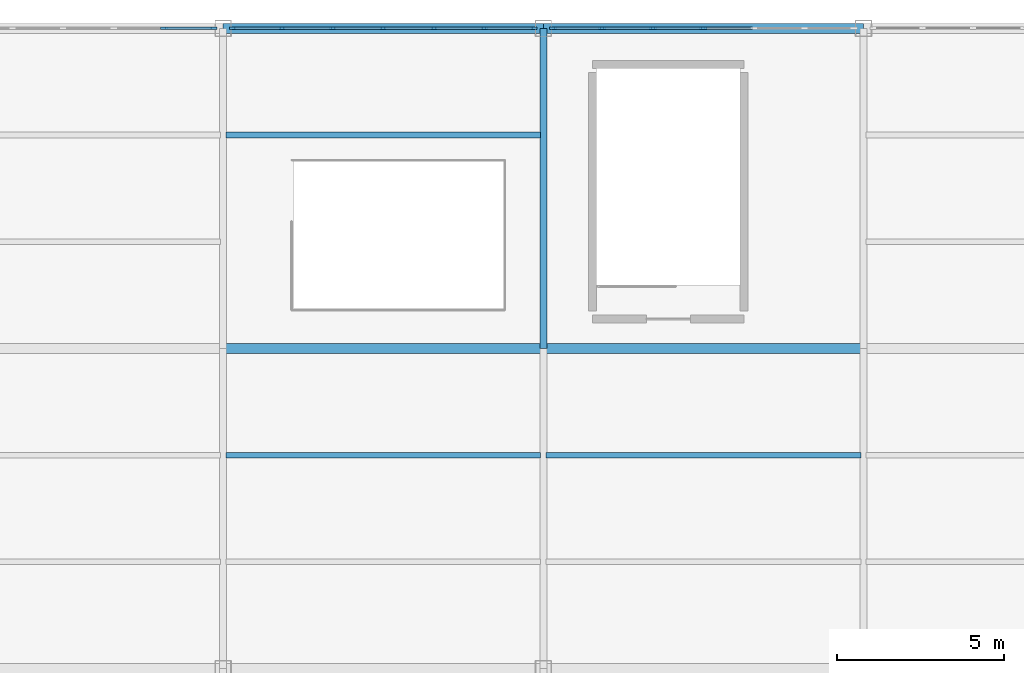
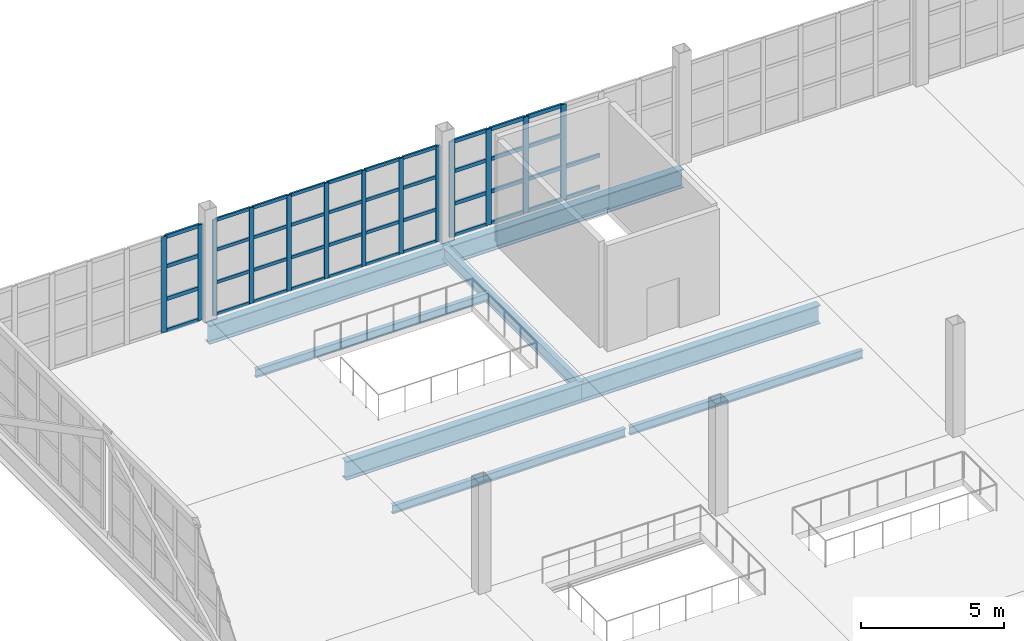
# One storey, part 53 of 120: 55 members, 8 beams, 3 elements without a shape of their own.
"""IFC4 building model written with IfcOpenShell, lengths in metres."""

from ifc_helpers import new_model, si_unit, direction, frame, origin, origin_2d, place, context, subcontext, project, spatial, rectangle, i_section, extrude, material, layer, layer_set, material_profile, profile_set, type_object, element, aggregate, save


model = new_model("IFC4")

# Units and contexts
model_context = context("Model", 3, precision=1e-05, world=origin(), true_north=direction((0.0, 1.0)))
body_context = subcontext(model_context, "Body", "Model", "MODEL_VIEW")
ifc_project = project(units=[si_unit("LENGTHUNIT", "METRE"), si_unit("AREAUNIT", "SQUARE_METRE"), si_unit("VOLUMEUNIT", "CUBIC_METRE"), si_unit("PLANEANGLEUNIT", "RADIAN"), si_unit("MASSUNIT", "GRAM", prefix="KILO")], contexts=[model_context])

# Site, building, storey
site_placement = place(None, origin())
site = spatial("IfcSite", under=ifc_project, at=site_placement, CompositionType="ELEMENT")
building_placement = place(site_placement, origin())
building = spatial("IfcBuilding", under=site, at=building_placement, Name="Zarnetskaya Central Station", CompositionType="ELEMENT")
storey_placement = place(building_placement, frame((0.0, 0.0, 5.39990234375)))
storey = spatial("IfcBuildingStorey", under=building, at=storey_placement, Name="L01", CompositionType="ELEMENT", Elevation=5.39990234375)

# Beams
ifc_material_1 = material(Name="Steel S355", Category="steel")
ifc_material_profile_1 = material_profile(ifc_material_1, i_section(OverallWidth=0.169921875, OverallDepth=0.360107421875, WebThickness=0.008056640625, FlangeThickness=0.0126953125, FilletRadius=0.01806640625, at=origin_2d()), Name="IPE 360")
ifc_profile_set_1 = profile_set([ifc_material_profile_1], Name="Steel S355")
beam_type_1 = type_object("IfcBeamType", Name="BM-SEC-360", PredefinedType="BEAM", material=ifc_profile_set_1)
for number, where, z_axis, x_axis, name in (
    (1, (76.8798828125, 112.0, -0.4599609375), (1.0, 0.0, 0.0), (0.0, 1.0, 0.0), "Secondary floor beam SEC-L01-Z512-JK-1314-2"),
    (2, (76.8798828125, 121.60009765625, -0.4599609375), (1.0, 0.0, 0.0), (0.0, 1.0, 0.0), "Secondary floor beam SEC-L01-Z512-JK-1415-2"),
):
    element("IfcBeam", number, at=place(storey_placement, frame(where, z_axis=z_axis, x_axis=x_axis)), inside=storey, type_object=beam_type_1, Name=name, PredefinedType="BEAM", context=body_context, shape_type="SweptSolid", body=[
        extrude(i_section(OverallWidth=0.169921875, OverallDepth=0.360107421875, WebThickness=0.008056640625, FlangeThickness=0.0126953125, FilletRadius=0.01806640625, at=origin_2d()), origin(), (0.0, 0.0, 1.0), 9.440185546875),
    ])
beam_1_placement = place(storey_placement, frame((86.47998046875, 112.0, -0.4599609375), z_axis=(1.0, 0.0, 0.0), x_axis=(0.0, 1.0, 0.0)))
element("IfcBeam", 3, at=beam_1_placement, inside=storey, type_object=beam_type_1, Name="Secondary floor beam SEC-L01-Z512-KL-1314-2", PredefinedType="BEAM", context=body_context, shape_type="SweptSolid", body=[
    extrude(i_section(OverallWidth=0.169921875, OverallDepth=0.360107421875, WebThickness=0.008056640625, FlangeThickness=0.0126953125, FilletRadius=0.01806640625, at=origin_2d()), origin(), (0.0, 0.0, 1.0), 9.43994140625),
])

# Curtain wall, members
ifc_material_2 = material(Name="Low-E insulated glass", Category="glass")
ifc_layer = layer(ifc_material_2, 0.172119140625, Name="Low-E insulated glass", Category="glass")
ifc_layer_set = layer_set([ifc_layer], Name="Low-E insulated glass")
curtain_wall_type = type_object("IfcCurtainWallType", Name="CW-SYS-09", PredefinedType="USERDEFINED", material=ifc_layer_set)
curtain_wall_1_placement = place(storey_placement, origin())
curtain_wall_1 = element("IfcCurtainWall", 4, at=curtain_wall_1_placement, inside=storey, type_object=curtain_wall_type, Name="Curtain wall CW-L01-153", ObjectType="CURTAIN WALL", PredefinedType="USERDEFINED")
ifc_material_3 = material(Name="Anodised aluminium", Category="aluminium")
ifc_material_profile_2 = material_profile(ifc_material_3, rectangle(XDim=0.070068359375, YDim=0.179931640625, at=origin_2d()), Name="ALU MULL 70x180")
ifc_profile_set_2 = profile_set([ifc_material_profile_2], Name="Anodised aluminium")
member_type_1 = type_object("IfcMemberType", Name="CW-MULL-180", PredefinedType="MULLION", material=ifc_profile_set_2)
member_1_placement = place(storey_placement, frame((77.0849609375, 124.800048828125, 0.0), z_axis=(0.0, 0.0, 1.0), x_axis=(0.0, 1.0, 0.0)))
member_1 = element("IfcMember", 5, at=member_1_placement, type_object=member_type_1, Name="CW-07 mullion 1", PredefinedType="MULLION", context=body_context, shape_type="SweptSolid", body=[
    extrude(rectangle(XDim=0.070068359375, YDim=0.179931640625, at=origin_2d()), origin(), (0.0, 0.0, 1.0), 4.10009765625),
])
member_2_placement = place(storey_placement, frame((78.566650390625, 124.800048828125, 0.0), z_axis=(0.0, 0.0, 1.0), x_axis=(0.0, 1.0, 0.0)))
member_2 = element("IfcMember", 6, at=member_2_placement, type_object=member_type_1, Name="CW-07 mullion 2", PredefinedType="MULLION", context=body_context, shape_type="SweptSolid", body=[
    extrude(rectangle(XDim=0.070068359375, YDim=0.179931640625, at=origin_2d()), origin(), (0.0, 0.0, 1.0), 4.10009765625),
])
member_3_placement = place(storey_placement, frame((80.083251953125, 124.800048828125, 0.0), z_axis=(0.0, 0.0, 1.0), x_axis=(0.0, 1.0, 0.0)))
member_3 = element("IfcMember", 7, at=member_3_placement, type_object=member_type_1, Name="CW-07 mullion 3", PredefinedType="MULLION", context=body_context, shape_type="SweptSolid", body=[
    extrude(rectangle(XDim=0.070068359375, YDim=0.179931640625, at=origin_2d()), origin(), (0.0, 0.0, 1.0), 4.10009765625),
])
member_4_placement = place(storey_placement, frame((81.60009765625, 124.800048828125, 0.0), z_axis=(0.0, 0.0, 1.0), x_axis=(0.0, 1.0, 0.0)))
member_4 = element("IfcMember", 8, at=member_4_placement, type_object=member_type_1, Name="CW-07 mullion 4", PredefinedType="MULLION", context=body_context, shape_type="SweptSolid", body=[
    extrude(rectangle(XDim=0.070068359375, YDim=0.179931640625, at=origin_2d()), origin(), (0.0, 0.0, 1.0), 4.10009765625),
])
member_5_placement = place(storey_placement, frame((83.11669921875, 124.800048828125, 0.0), z_axis=(0.0, 0.0, 1.0), x_axis=(0.0, 1.0, 0.0)))
member_5 = element("IfcMember", 9, at=member_5_placement, type_object=member_type_1, Name="CW-07 mullion 5", PredefinedType="MULLION", context=body_context, shape_type="SweptSolid", body=[
    extrude(rectangle(XDim=0.070068359375, YDim=0.179931640625, at=origin_2d()), origin(), (0.0, 0.0, 1.0), 4.10009765625),
])
member_6_placement = place(storey_placement, frame((84.63330078125, 124.800048828125, 0.0), z_axis=(0.0, 0.0, 1.0), x_axis=(0.0, 1.0, 0.0)))
member_6 = element("IfcMember", 10, at=member_6_placement, type_object=member_type_1, Name="CW-07 mullion 6", PredefinedType="MULLION", context=body_context, shape_type="SweptSolid", body=[
    extrude(rectangle(XDim=0.070068359375, YDim=0.179931640625, at=origin_2d()), origin(), (0.0, 0.0, 1.0), 4.10009765625),
])
member_7_placement = place(storey_placement, frame((86.114990234375, 124.800048828125, 0.0), z_axis=(0.0, 0.0, 1.0), x_axis=(0.0, 1.0, 0.0)))
member_7 = element("IfcMember", 11, at=member_7_placement, type_object=member_type_1, Name="CW-07 mullion 7", PredefinedType="MULLION", context=body_context, shape_type="SweptSolid", body=[
    extrude(rectangle(XDim=0.070068359375, YDim=0.179931640625, at=origin_2d()), origin(), (0.0, 0.0, 1.0), 4.10009765625),
])

curtain_wall_2_placement = place(storey_placement, origin())
curtain_wall_2 = element("IfcCurtainWall", 12, at=curtain_wall_2_placement, inside=storey, type_object=curtain_wall_type, Name="Curtain wall CW-L01-152", ObjectType="CURTAIN WALL", PredefinedType="USERDEFINED")
ifc_material_profile_3 = material_profile(ifc_material_3, rectangle(XDim=0.080078125, YDim=0.219970703125, at=origin_2d()), Name="ALU MULL 80x220")
ifc_profile_set_3 = profile_set([ifc_material_profile_3], Name="Anodised aluminium")
member_type_2 = type_object("IfcMemberType", Name="CW-MULL-220", PredefinedType="MULLION", material=ifc_profile_set_3)
member_8_placement = place(storey_placement, frame((75.033447265625, 124.800048828125, 0.0), z_axis=(0.0, 0.0, 1.0), x_axis=(0.0, 1.0, 0.0)))
member_8 = element("IfcMember", 13, at=member_8_placement, type_object=member_type_2, Name="CW-07 mullion 6", PredefinedType="MULLION", context=body_context, shape_type="SweptSolid", body=[
    extrude(rectangle(XDim=0.080078125, YDim=0.219970703125, at=origin_2d()), origin(), (0.0, 0.0, 1.0), 4.10009765625),
])
member_9_placement = place(storey_placement, frame((76.510009765625, 124.800048828125, 0.0), z_axis=(0.0, 0.0, 1.0), x_axis=(0.0, 1.0, 0.0)))
member_9 = element("IfcMember", 14, at=member_9_placement, type_object=member_type_2, Name="CW-07 mullion 7", PredefinedType="MULLION", context=body_context, shape_type="SweptSolid", body=[
    extrude(rectangle(XDim=0.080078125, YDim=0.219970703125, at=origin_2d()), origin(), (0.0, 0.0, 1.0), 4.10009765625),
])

curtain_wall_3_placement = place(storey_placement, origin())
curtain_wall_3 = element("IfcCurtainWall", 15, at=curtain_wall_3_placement, inside=storey, type_object=curtain_wall_type, Name="Curtain wall CW-L01-154", ObjectType="CURTAIN WALL", PredefinedType="USERDEFINED")
member_10_placement = place(storey_placement, frame((86.68994140625, 124.800048828125, 0.0), z_axis=(0.0, 0.0, 1.0), x_axis=(0.0, 1.0, 0.0)))
member_10 = element("IfcMember", 16, at=member_10_placement, type_object=member_type_2, Name="CW-07 mullion 1", PredefinedType="MULLION", context=body_context, shape_type="SweptSolid", body=[
    extrude(rectangle(XDim=0.080078125, YDim=0.219970703125, at=origin_2d()), origin(), (0.0, 0.0, 1.0), 4.10009765625),
])
member_11_placement = place(storey_placement, frame((88.166748046875, 124.800048828125, 0.0), z_axis=(0.0, 0.0, 1.0), x_axis=(0.0, 1.0, 0.0)))
member_11 = element("IfcMember", 17, at=member_11_placement, type_object=member_type_2, Name="CW-07 mullion 2", PredefinedType="MULLION", context=body_context, shape_type="SweptSolid", body=[
    extrude(rectangle(XDim=0.080078125, YDim=0.219970703125, at=origin_2d()), origin(), (0.0, 0.0, 1.0), 4.10009765625),
])
member_12_placement = place(storey_placement, frame((89.683349609375, 124.800048828125, 0.0), z_axis=(0.0, 0.0, 1.0), x_axis=(0.0, 1.0, 0.0)))
member_12 = element("IfcMember", 18, at=member_12_placement, type_object=member_type_2, Name="CW-07 mullion 3", PredefinedType="MULLION", context=body_context, shape_type="SweptSolid", body=[
    extrude(rectangle(XDim=0.080078125, YDim=0.219970703125, at=origin_2d()), origin(), (0.0, 0.0, 1.0), 4.10009765625),
])
member_13_placement = place(storey_placement, frame((91.199951171875, 124.800048828125, 0.0), z_axis=(0.0, 0.0, 1.0), x_axis=(0.0, 1.0, 0.0)))
member_13 = element("IfcMember", 19, at=member_13_placement, type_object=member_type_2, Name="CW-07 mullion 4", PredefinedType="MULLION", context=body_context, shape_type="SweptSolid", body=[
    extrude(rectangle(XDim=0.080078125, YDim=0.219970703125, at=origin_2d()), origin(), (0.0, 0.0, 1.0), 4.10009765625),
])

# Member
ifc_material_profile_4 = material_profile(ifc_material_3, rectangle(XDim=0.070068359375, YDim=0.139892578125, at=origin_2d()), Name="ALU TRAN 70x140")
ifc_profile_set_4 = profile_set([ifc_material_profile_4], Name="Anodised aluminium")
member_type_3 = type_object("IfcMemberType", Name="CW-TRAN-140", PredefinedType="USERDEFINED", material=ifc_profile_set_4)
member_14_placement = place(storey_placement, frame((77.1201171875, 124.800048828125, 0.03515625), z_axis=(1.0, 0.0, 0.0), x_axis=(0.0, 1.0, 0.0)))
member_14 = element("IfcMember", 20, at=member_14_placement, type_object=member_type_3, Name="CW-07 transom 1.1", ObjectType="TRANSOM", PredefinedType="USERDEFINED", context=body_context, shape_type="SweptSolid", body=[
    extrude(rectangle(XDim=0.070068359375, YDim=0.139892578125, at=origin_2d()), origin(), (0.0, 0.0, 1.0), 1.41162109375),
])

member_15_placement = place(storey_placement, frame((77.1201171875, 124.800048828125, 1.39404296875), z_axis=(1.0, 0.0, 0.0), x_axis=(0.0, 1.0, 0.0)))
member_15 = element("IfcMember", 21, at=member_15_placement, type_object=member_type_3, Name="CW-07 transom 1.2", ObjectType="TRANSOM", PredefinedType="USERDEFINED", context=body_context, shape_type="SweptSolid", body=[
    extrude(rectangle(XDim=0.070068359375, YDim=0.139892578125, at=origin_2d()), origin(), (0.0, 0.0, 1.0), 1.41162109375),
])

member_16_placement = place(storey_placement, frame((77.1201171875, 124.800048828125, 2.7880859375), z_axis=(1.0, 0.0, 0.0), x_axis=(0.0, 1.0, 0.0)))
member_16 = element("IfcMember", 22, at=member_16_placement, type_object=member_type_3, Name="CW-07 transom 1.3", ObjectType="TRANSOM", PredefinedType="USERDEFINED", context=body_context, shape_type="SweptSolid", body=[
    extrude(rectangle(XDim=0.070068359375, YDim=0.139892578125, at=origin_2d()), origin(), (0.0, 0.0, 1.0), 1.41162109375),
])

member_17_placement = place(storey_placement, frame((77.1201171875, 124.800048828125, 4.065185546875), z_axis=(1.0, 0.0, 0.0), x_axis=(0.0, 1.0, 0.0)))
member_17 = element("IfcMember", 23, at=member_17_placement, type_object=member_type_3, Name="CW-07 transom 1.4", ObjectType="TRANSOM", PredefinedType="USERDEFINED", context=body_context, shape_type="SweptSolid", body=[
    extrude(rectangle(XDim=0.070068359375, YDim=0.139892578125, at=origin_2d()), origin(), (0.0, 0.0, 1.0), 1.41162109375),
])

member_18_placement = place(storey_placement, frame((78.6015625, 124.800048828125, 0.03515625), z_axis=(1.0, 0.0, 0.0), x_axis=(0.0, 1.0, 0.0)))
member_18 = element("IfcMember", 24, at=member_18_placement, type_object=member_type_3, Name="CW-07 transom 2.1", ObjectType="TRANSOM", PredefinedType="USERDEFINED", context=body_context, shape_type="SweptSolid", body=[
    extrude(rectangle(XDim=0.070068359375, YDim=0.139892578125, at=origin_2d()), origin(), (0.0, 0.0, 1.0), 1.44677734375),
])

member_19_placement = place(storey_placement, frame((78.6015625, 124.800048828125, 1.39404296875), z_axis=(1.0, 0.0, 0.0), x_axis=(0.0, 1.0, 0.0)))
member_19 = element("IfcMember", 25, at=member_19_placement, type_object=member_type_3, Name="CW-07 transom 2.2", ObjectType="TRANSOM", PredefinedType="USERDEFINED", context=body_context, shape_type="SweptSolid", body=[
    extrude(rectangle(XDim=0.070068359375, YDim=0.139892578125, at=origin_2d()), origin(), (0.0, 0.0, 1.0), 1.44677734375),
])

member_20_placement = place(storey_placement, frame((78.6015625, 124.800048828125, 2.7880859375), z_axis=(1.0, 0.0, 0.0), x_axis=(0.0, 1.0, 0.0)))
member_20 = element("IfcMember", 26, at=member_20_placement, type_object=member_type_3, Name="CW-07 transom 2.3", ObjectType="TRANSOM", PredefinedType="USERDEFINED", context=body_context, shape_type="SweptSolid", body=[
    extrude(rectangle(XDim=0.070068359375, YDim=0.139892578125, at=origin_2d()), origin(), (0.0, 0.0, 1.0), 1.44677734375),
])

member_21_placement = place(storey_placement, frame((78.6015625, 124.800048828125, 4.065185546875), z_axis=(1.0, 0.0, 0.0), x_axis=(0.0, 1.0, 0.0)))
member_21 = element("IfcMember", 27, at=member_21_placement, type_object=member_type_3, Name="CW-07 transom 2.4", ObjectType="TRANSOM", PredefinedType="USERDEFINED", context=body_context, shape_type="SweptSolid", body=[
    extrude(rectangle(XDim=0.070068359375, YDim=0.139892578125, at=origin_2d()), origin(), (0.0, 0.0, 1.0), 1.44677734375),
])

member_22_placement = place(storey_placement, frame((80.118408203125, 124.800048828125, 0.03515625), z_axis=(1.0, 0.0, 0.0), x_axis=(0.0, 1.0, 0.0)))
member_22 = element("IfcMember", 28, at=member_22_placement, type_object=member_type_3, Name="CW-07 transom 3.1", ObjectType="TRANSOM", PredefinedType="USERDEFINED", context=body_context, shape_type="SweptSolid", body=[
    extrude(rectangle(XDim=0.070068359375, YDim=0.139892578125, at=origin_2d()), origin(), (0.0, 0.0, 1.0), 1.446533203125),
])

member_23_placement = place(storey_placement, frame((80.118408203125, 124.800048828125, 1.39404296875), z_axis=(1.0, 0.0, 0.0), x_axis=(0.0, 1.0, 0.0)))
member_23 = element("IfcMember", 29, at=member_23_placement, type_object=member_type_3, Name="CW-07 transom 3.2", ObjectType="TRANSOM", PredefinedType="USERDEFINED", context=body_context, shape_type="SweptSolid", body=[
    extrude(rectangle(XDim=0.070068359375, YDim=0.139892578125, at=origin_2d()), origin(), (0.0, 0.0, 1.0), 1.446533203125),
])

member_24_placement = place(storey_placement, frame((80.118408203125, 124.800048828125, 2.7880859375), z_axis=(1.0, 0.0, 0.0), x_axis=(0.0, 1.0, 0.0)))
member_24 = element("IfcMember", 30, at=member_24_placement, type_object=member_type_3, Name="CW-07 transom 3.3", ObjectType="TRANSOM", PredefinedType="USERDEFINED", context=body_context, shape_type="SweptSolid", body=[
    extrude(rectangle(XDim=0.070068359375, YDim=0.139892578125, at=origin_2d()), origin(), (0.0, 0.0, 1.0), 1.446533203125),
])

member_25_placement = place(storey_placement, frame((80.118408203125, 124.800048828125, 4.065185546875), z_axis=(1.0, 0.0, 0.0), x_axis=(0.0, 1.0, 0.0)))
member_25 = element("IfcMember", 31, at=member_25_placement, type_object=member_type_3, Name="CW-07 transom 3.4", ObjectType="TRANSOM", PredefinedType="USERDEFINED", context=body_context, shape_type="SweptSolid", body=[
    extrude(rectangle(XDim=0.070068359375, YDim=0.139892578125, at=origin_2d()), origin(), (0.0, 0.0, 1.0), 1.446533203125),
])

member_26_placement = place(storey_placement, frame((81.635009765625, 124.800048828125, 0.03515625), z_axis=(1.0, 0.0, 0.0), x_axis=(0.0, 1.0, 0.0)))
member_26 = element("IfcMember", 32, at=member_26_placement, type_object=member_type_3, Name="CW-07 transom 4.1", ObjectType="TRANSOM", PredefinedType="USERDEFINED", context=body_context, shape_type="SweptSolid", body=[
    extrude(rectangle(XDim=0.070068359375, YDim=0.139892578125, at=origin_2d()), origin(), (0.0, 0.0, 1.0), 1.44677734375),
])

member_27_placement = place(storey_placement, frame((81.635009765625, 124.800048828125, 1.39404296875), z_axis=(1.0, 0.0, 0.0), x_axis=(0.0, 1.0, 0.0)))
member_27 = element("IfcMember", 33, at=member_27_placement, type_object=member_type_3, Name="CW-07 transom 4.2", ObjectType="TRANSOM", PredefinedType="USERDEFINED", context=body_context, shape_type="SweptSolid", body=[
    extrude(rectangle(XDim=0.070068359375, YDim=0.139892578125, at=origin_2d()), origin(), (0.0, 0.0, 1.0), 1.44677734375),
])

member_28_placement = place(storey_placement, frame((81.635009765625, 124.800048828125, 2.7880859375), z_axis=(1.0, 0.0, 0.0), x_axis=(0.0, 1.0, 0.0)))
member_28 = element("IfcMember", 34, at=member_28_placement, type_object=member_type_3, Name="CW-07 transom 4.3", ObjectType="TRANSOM", PredefinedType="USERDEFINED", context=body_context, shape_type="SweptSolid", body=[
    extrude(rectangle(XDim=0.070068359375, YDim=0.139892578125, at=origin_2d()), origin(), (0.0, 0.0, 1.0), 1.44677734375),
])

member_29_placement = place(storey_placement, frame((81.635009765625, 124.800048828125, 4.065185546875), z_axis=(1.0, 0.0, 0.0), x_axis=(0.0, 1.0, 0.0)))
member_29 = element("IfcMember", 35, at=member_29_placement, type_object=member_type_3, Name="CW-07 transom 4.4", ObjectType="TRANSOM", PredefinedType="USERDEFINED", context=body_context, shape_type="SweptSolid", body=[
    extrude(rectangle(XDim=0.070068359375, YDim=0.139892578125, at=origin_2d()), origin(), (0.0, 0.0, 1.0), 1.44677734375),
])

member_30_placement = place(storey_placement, frame((83.151611328125, 124.800048828125, 0.03515625), z_axis=(1.0, 0.0, 0.0), x_axis=(0.0, 1.0, 0.0)))
member_30 = element("IfcMember", 36, at=member_30_placement, type_object=member_type_3, Name="CW-07 transom 5.1", ObjectType="TRANSOM", PredefinedType="USERDEFINED", context=body_context, shape_type="SweptSolid", body=[
    extrude(rectangle(XDim=0.070068359375, YDim=0.139892578125, at=origin_2d()), origin(), (0.0, 0.0, 1.0), 1.44677734375),
])

member_31_placement = place(storey_placement, frame((83.151611328125, 124.800048828125, 1.39404296875), z_axis=(1.0, 0.0, 0.0), x_axis=(0.0, 1.0, 0.0)))
member_31 = element("IfcMember", 37, at=member_31_placement, type_object=member_type_3, Name="CW-07 transom 5.2", ObjectType="TRANSOM", PredefinedType="USERDEFINED", context=body_context, shape_type="SweptSolid", body=[
    extrude(rectangle(XDim=0.070068359375, YDim=0.139892578125, at=origin_2d()), origin(), (0.0, 0.0, 1.0), 1.44677734375),
])

member_32_placement = place(storey_placement, frame((83.151611328125, 124.800048828125, 2.7880859375), z_axis=(1.0, 0.0, 0.0), x_axis=(0.0, 1.0, 0.0)))
member_32 = element("IfcMember", 38, at=member_32_placement, type_object=member_type_3, Name="CW-07 transom 5.3", ObjectType="TRANSOM", PredefinedType="USERDEFINED", context=body_context, shape_type="SweptSolid", body=[
    extrude(rectangle(XDim=0.070068359375, YDim=0.139892578125, at=origin_2d()), origin(), (0.0, 0.0, 1.0), 1.44677734375),
])

member_33_placement = place(storey_placement, frame((83.151611328125, 124.800048828125, 4.065185546875), z_axis=(1.0, 0.0, 0.0), x_axis=(0.0, 1.0, 0.0)))
member_33 = element("IfcMember", 39, at=member_33_placement, type_object=member_type_3, Name="CW-07 transom 5.4", ObjectType="TRANSOM", PredefinedType="USERDEFINED", context=body_context, shape_type="SweptSolid", body=[
    extrude(rectangle(XDim=0.070068359375, YDim=0.139892578125, at=origin_2d()), origin(), (0.0, 0.0, 1.0), 1.44677734375),
])

member_34_placement = place(storey_placement, frame((84.668212890625, 124.800048828125, 0.03515625), z_axis=(1.0, 0.0, 0.0), x_axis=(0.0, 1.0, 0.0)))
member_34 = element("IfcMember", 40, at=member_34_placement, type_object=member_type_3, Name="CW-07 transom 6.1", ObjectType="TRANSOM", PredefinedType="USERDEFINED", context=body_context, shape_type="SweptSolid", body=[
    extrude(rectangle(XDim=0.070068359375, YDim=0.139892578125, at=origin_2d()), origin(), (0.0, 0.0, 1.0), 1.411865234375),
])

member_35_placement = place(storey_placement, frame((84.668212890625, 124.800048828125, 1.39404296875), z_axis=(1.0, 0.0, 0.0), x_axis=(0.0, 1.0, 0.0)))
member_35 = element("IfcMember", 41, at=member_35_placement, type_object=member_type_3, Name="CW-07 transom 6.2", ObjectType="TRANSOM", PredefinedType="USERDEFINED", context=body_context, shape_type="SweptSolid", body=[
    extrude(rectangle(XDim=0.070068359375, YDim=0.139892578125, at=origin_2d()), origin(), (0.0, 0.0, 1.0), 1.411865234375),
])

member_36_placement = place(storey_placement, frame((84.668212890625, 124.800048828125, 2.7880859375), z_axis=(1.0, 0.0, 0.0), x_axis=(0.0, 1.0, 0.0)))
member_36 = element("IfcMember", 42, at=member_36_placement, type_object=member_type_3, Name="CW-07 transom 6.3", ObjectType="TRANSOM", PredefinedType="USERDEFINED", context=body_context, shape_type="SweptSolid", body=[
    extrude(rectangle(XDim=0.070068359375, YDim=0.139892578125, at=origin_2d()), origin(), (0.0, 0.0, 1.0), 1.411865234375),
])

member_37_placement = place(storey_placement, frame((84.668212890625, 124.800048828125, 4.065185546875), z_axis=(1.0, 0.0, 0.0), x_axis=(0.0, 1.0, 0.0)))
member_37 = element("IfcMember", 43, at=member_37_placement, type_object=member_type_3, Name="CW-07 transom 6.4", ObjectType="TRANSOM", PredefinedType="USERDEFINED", context=body_context, shape_type="SweptSolid", body=[
    extrude(rectangle(XDim=0.070068359375, YDim=0.139892578125, at=origin_2d()), origin(), (0.0, 0.0, 1.0), 1.411865234375),
])

aggregate(curtain_wall_1, [member_1, member_2, member_3, member_4, member_5, member_6, member_7, member_14, member_15, member_16, member_17, member_18, member_19, member_20, member_21, member_22, member_23, member_24, member_25, member_26, member_27, member_28, member_29, member_30, member_31, member_32, member_33, member_34, member_35, member_36, member_37])

ifc_material_profile_5 = material_profile(ifc_material_3, rectangle(XDim=0.080078125, YDim=0.159912109375, at=origin_2d()), Name="ALU TRAN 80x160")
ifc_profile_set_5 = profile_set([ifc_material_profile_5], Name="Anodised aluminium")
member_type_4 = type_object("IfcMemberType", Name="CW-TRAN-160", PredefinedType="USERDEFINED", material=ifc_profile_set_5)
member_38_placement = place(storey_placement, frame((75.0732421875, 124.800048828125, 0.0400390625), z_axis=(1.0, 0.0, 0.0), x_axis=(0.0, 1.0, 0.0)))
member_38 = element("IfcMember", 44, at=member_38_placement, type_object=member_type_4, Name="CW-07 transom 6.1", ObjectType="TRANSOM", PredefinedType="USERDEFINED", context=body_context, shape_type="SweptSolid", body=[
    extrude(rectangle(XDim=0.080078125, YDim=0.159912109375, at=origin_2d()), origin(), (0.0, 0.0, 1.0), 1.396728515625),
])

member_39_placement = place(storey_placement, frame((75.0732421875, 124.800048828125, 1.39404296875), z_axis=(1.0, 0.0, 0.0), x_axis=(0.0, 1.0, 0.0)))
member_39 = element("IfcMember", 45, at=member_39_placement, type_object=member_type_4, Name="CW-07 transom 6.2", ObjectType="TRANSOM", PredefinedType="USERDEFINED", context=body_context, shape_type="SweptSolid", body=[
    extrude(rectangle(XDim=0.080078125, YDim=0.159912109375, at=origin_2d()), origin(), (0.0, 0.0, 1.0), 1.396728515625),
])

member_40_placement = place(storey_placement, frame((75.0732421875, 124.800048828125, 2.7880859375), z_axis=(1.0, 0.0, 0.0), x_axis=(0.0, 1.0, 0.0)))
member_40 = element("IfcMember", 46, at=member_40_placement, type_object=member_type_4, Name="CW-07 transom 6.3", ObjectType="TRANSOM", PredefinedType="USERDEFINED", context=body_context, shape_type="SweptSolid", body=[
    extrude(rectangle(XDim=0.080078125, YDim=0.159912109375, at=origin_2d()), origin(), (0.0, 0.0, 1.0), 1.396728515625),
])

member_41_placement = place(storey_placement, frame((75.0732421875, 124.800048828125, 4.06005859375), z_axis=(1.0, 0.0, 0.0), x_axis=(0.0, 1.0, 0.0)))
member_41 = element("IfcMember", 47, at=member_41_placement, type_object=member_type_4, Name="CW-07 transom 6.4", ObjectType="TRANSOM", PredefinedType="USERDEFINED", context=body_context, shape_type="SweptSolid", body=[
    extrude(rectangle(XDim=0.080078125, YDim=0.159912109375, at=origin_2d()), origin(), (0.0, 0.0, 1.0), 1.396728515625),
])

aggregate(curtain_wall_2, [member_8, member_9, member_38, member_39, member_40, member_41])

member_42_placement = place(storey_placement, frame((86.72998046875, 124.800048828125, 0.0400390625), z_axis=(1.0, 0.0, 0.0), x_axis=(0.0, 1.0, 0.0)))
member_42 = element("IfcMember", 48, at=member_42_placement, type_object=member_type_4, Name="CW-07 transom 1.1", ObjectType="TRANSOM", PredefinedType="USERDEFINED", context=body_context, shape_type="SweptSolid", body=[
    extrude(rectangle(XDim=0.080078125, YDim=0.159912109375, at=origin_2d()), origin(), (0.0, 0.0, 1.0), 1.396728515625),
])

member_43_placement = place(storey_placement, frame((86.72998046875, 124.800048828125, 1.39404296875), z_axis=(1.0, 0.0, 0.0), x_axis=(0.0, 1.0, 0.0)))
member_43 = element("IfcMember", 49, at=member_43_placement, type_object=member_type_4, Name="CW-07 transom 1.2", ObjectType="TRANSOM", PredefinedType="USERDEFINED", context=body_context, shape_type="SweptSolid", body=[
    extrude(rectangle(XDim=0.080078125, YDim=0.159912109375, at=origin_2d()), origin(), (0.0, 0.0, 1.0), 1.396728515625),
])

member_44_placement = place(storey_placement, frame((86.72998046875, 124.800048828125, 2.7880859375), z_axis=(1.0, 0.0, 0.0), x_axis=(0.0, 1.0, 0.0)))
member_44 = element("IfcMember", 50, at=member_44_placement, type_object=member_type_4, Name="CW-07 transom 1.3", ObjectType="TRANSOM", PredefinedType="USERDEFINED", context=body_context, shape_type="SweptSolid", body=[
    extrude(rectangle(XDim=0.080078125, YDim=0.159912109375, at=origin_2d()), origin(), (0.0, 0.0, 1.0), 1.396728515625),
])

member_45_placement = place(storey_placement, frame((86.72998046875, 124.800048828125, 4.06005859375), z_axis=(1.0, 0.0, 0.0), x_axis=(0.0, 1.0, 0.0)))
member_45 = element("IfcMember", 51, at=member_45_placement, type_object=member_type_4, Name="CW-07 transom 1.4", ObjectType="TRANSOM", PredefinedType="USERDEFINED", context=body_context, shape_type="SweptSolid", body=[
    extrude(rectangle(XDim=0.080078125, YDim=0.159912109375, at=origin_2d()), origin(), (0.0, 0.0, 1.0), 1.396728515625),
])

member_46_placement = place(storey_placement, frame((88.206787109375, 124.800048828125, 0.0400390625), z_axis=(1.0, 0.0, 0.0), x_axis=(0.0, 1.0, 0.0)))
member_46 = element("IfcMember", 52, at=member_46_placement, type_object=member_type_4, Name="CW-07 transom 2.1", ObjectType="TRANSOM", PredefinedType="USERDEFINED", context=body_context, shape_type="SweptSolid", body=[
    extrude(rectangle(XDim=0.080078125, YDim=0.159912109375, at=origin_2d()), origin(), (0.0, 0.0, 1.0), 1.4365234375),
])

member_47_placement = place(storey_placement, frame((88.206787109375, 124.800048828125, 1.39404296875), z_axis=(1.0, 0.0, 0.0), x_axis=(0.0, 1.0, 0.0)))
member_47 = element("IfcMember", 53, at=member_47_placement, type_object=member_type_4, Name="CW-07 transom 2.2", ObjectType="TRANSOM", PredefinedType="USERDEFINED", context=body_context, shape_type="SweptSolid", body=[
    extrude(rectangle(XDim=0.080078125, YDim=0.159912109375, at=origin_2d()), origin(), (0.0, 0.0, 1.0), 1.4365234375),
])

member_48_placement = place(storey_placement, frame((88.206787109375, 124.800048828125, 2.7880859375), z_axis=(1.0, 0.0, 0.0), x_axis=(0.0, 1.0, 0.0)))
member_48 = element("IfcMember", 54, at=member_48_placement, type_object=member_type_4, Name="CW-07 transom 2.3", ObjectType="TRANSOM", PredefinedType="USERDEFINED", context=body_context, shape_type="SweptSolid", body=[
    extrude(rectangle(XDim=0.080078125, YDim=0.159912109375, at=origin_2d()), origin(), (0.0, 0.0, 1.0), 1.4365234375),
])

member_49_placement = place(storey_placement, frame((88.206787109375, 124.800048828125, 4.06005859375), z_axis=(1.0, 0.0, 0.0), x_axis=(0.0, 1.0, 0.0)))
member_49 = element("IfcMember", 55, at=member_49_placement, type_object=member_type_4, Name="CW-07 transom 2.4", ObjectType="TRANSOM", PredefinedType="USERDEFINED", context=body_context, shape_type="SweptSolid", body=[
    extrude(rectangle(XDim=0.080078125, YDim=0.159912109375, at=origin_2d()), origin(), (0.0, 0.0, 1.0), 1.4365234375),
])

member_50_placement = place(storey_placement, frame((89.723388671875, 124.800048828125, 0.0400390625), z_axis=(1.0, 0.0, 0.0), x_axis=(0.0, 1.0, 0.0)))
member_50 = element("IfcMember", 56, at=member_50_placement, type_object=member_type_4, Name="CW-07 transom 3.1", ObjectType="TRANSOM", PredefinedType="USERDEFINED", context=body_context, shape_type="SweptSolid", body=[
    extrude(rectangle(XDim=0.080078125, YDim=0.159912109375, at=origin_2d()), origin(), (0.0, 0.0, 1.0), 1.4365234375),
])

member_51_placement = place(storey_placement, frame((89.723388671875, 124.800048828125, 1.39404296875), z_axis=(1.0, 0.0, 0.0), x_axis=(0.0, 1.0, 0.0)))
member_51 = element("IfcMember", 57, at=member_51_placement, type_object=member_type_4, Name="CW-07 transom 3.2", ObjectType="TRANSOM", PredefinedType="USERDEFINED", context=body_context, shape_type="SweptSolid", body=[
    extrude(rectangle(XDim=0.080078125, YDim=0.159912109375, at=origin_2d()), origin(), (0.0, 0.0, 1.0), 1.4365234375),
])

member_52_placement = place(storey_placement, frame((89.723388671875, 124.800048828125, 2.7880859375), z_axis=(1.0, 0.0, 0.0), x_axis=(0.0, 1.0, 0.0)))
member_52 = element("IfcMember", 58, at=member_52_placement, type_object=member_type_4, Name="CW-07 transom 3.3", ObjectType="TRANSOM", PredefinedType="USERDEFINED", context=body_context, shape_type="SweptSolid", body=[
    extrude(rectangle(XDim=0.080078125, YDim=0.159912109375, at=origin_2d()), origin(), (0.0, 0.0, 1.0), 1.4365234375),
])

member_53_placement = place(storey_placement, frame((89.723388671875, 124.800048828125, 4.06005859375), z_axis=(1.0, 0.0, 0.0), x_axis=(0.0, 1.0, 0.0)))
member_53 = element("IfcMember", 59, at=member_53_placement, type_object=member_type_4, Name="CW-07 transom 3.4", ObjectType="TRANSOM", PredefinedType="USERDEFINED", context=body_context, shape_type="SweptSolid", body=[
    extrude(rectangle(XDim=0.080078125, YDim=0.159912109375, at=origin_2d()), origin(), (0.0, 0.0, 1.0), 1.4365234375),
])

member_54_placement = place(storey_placement, frame((91.239990234375, 124.800048828125, 0.0400390625), z_axis=(1.0, 0.0, 0.0), x_axis=(0.0, 1.0, 0.0)))
member_54 = element("IfcMember", 60, at=member_54_placement, type_object=member_type_4, Name="CW-07 transom 4.1", ObjectType="TRANSOM", PredefinedType="USERDEFINED", context=body_context, shape_type="SweptSolid", body=[
    extrude(rectangle(XDim=0.080078125, YDim=0.159912109375, at=origin_2d()), origin(), (0.0, 0.0, 1.0), 1.436767578125),
])

member_55_placement = place(storey_placement, frame((91.239990234375, 124.800048828125, 1.39404296875), z_axis=(1.0, 0.0, 0.0), x_axis=(0.0, 1.0, 0.0)))
member_55 = element("IfcMember", 61, at=member_55_placement, type_object=member_type_4, Name="CW-07 transom 4.2", ObjectType="TRANSOM", PredefinedType="USERDEFINED", context=body_context, shape_type="SweptSolid", body=[
    extrude(rectangle(XDim=0.080078125, YDim=0.159912109375, at=origin_2d()), origin(), (0.0, 0.0, 1.0), 1.436767578125),
])

aggregate(curtain_wall_3, [member_10, member_11, member_12, member_13, member_42, member_43, member_44, member_45, member_46, member_47, member_48, member_49, member_50, member_51, member_52, member_53, member_54, member_55])

# Beams
ifc_material_profile_6 = material_profile(ifc_material_1, i_section(OverallWidth=0.300048828125, OverallDepth=0.800048828125, WebThickness=0.017578125, FlangeThickness=0.032958984375, FilletRadius=0.030029296875, at=origin_2d()), Name="HEB 800")
ifc_profile_set_6 = profile_set([ifc_material_profile_6], Name="Steel S355")
beam_type_2 = type_object("IfcBeamType", Name="GD-BRG-800", PredefinedType="USERDEFINED", material=ifc_profile_set_6)
for number, where, z_axis, x_axis, name in (
    (62, (76.800048828125, 115.199951171875, -0.679931640625), (1.0, 0.0, 0.0), (0.0, 1.0, 0.0), "Grid girder GX-L01-14-JK"),
    (63, (76.800048828125, 124.800048828125, -0.679931640625), (1.0, 0.0, 0.0), (0.0, 1.0, 0.0), "Grid girder GX-L01-15-JK"),
):
    element("IfcBeam", number, at=place(storey_placement, frame(where, z_axis=z_axis, x_axis=x_axis)), inside=storey, type_object=beam_type_2, Name=name, ObjectType="GIRDER", PredefinedType="USERDEFINED", context=body_context, shape_type="SweptSolid", body=[
        extrude(i_section(OverallWidth=0.300048828125, OverallDepth=0.800048828125, WebThickness=0.017578125, FlangeThickness=0.032958984375, FilletRadius=0.030029296875, at=origin_2d()), origin(), (0.0, 0.0, 1.0), 9.599853515625),
    ])
for number, where, z_axis, x_axis, name in (
    (64, (86.39990234375, 115.199951171875, -0.679931640625), (1.0, 0.0, 0.0), (0.0, 1.0, 0.0), "Grid girder GX-L01-14-KL"),
    (65, (86.39990234375, 124.800048828125, -0.679931640625), (1.0, 0.0, 0.0), (0.0, 1.0, 0.0), "Grid girder GX-L01-15-KL"),
):
    element("IfcBeam", number, at=place(storey_placement, frame(where, z_axis=z_axis, x_axis=x_axis)), inside=storey, type_object=beam_type_2, Name=name, ObjectType="GIRDER", PredefinedType="USERDEFINED", context=body_context, shape_type="SweptSolid", body=[
        extrude(i_section(OverallWidth=0.300048828125, OverallDepth=0.800048828125, WebThickness=0.017578125, FlangeThickness=0.032958984375, FilletRadius=0.030029296875, at=origin_2d()), origin(), (0.0, 0.0, 1.0), 9.60009765625),
    ])
ifc_material_profile_7 = material_profile(ifc_material_1, i_section(OverallWidth=0.2099609375, OverallDepth=0.550048828125, WebThickness=0.010986328125, FlangeThickness=0.01708984375, FilletRadius=0.02392578125, at=origin_2d()), Name="IPE 550")
ifc_profile_set_7 = profile_set([ifc_material_profile_7], Name="Steel S355")
beam_type_3 = type_object("IfcBeamType", Name="GD-FLR-550", PredefinedType="USERDEFINED", material=ifc_profile_set_7)
beam_2_placement = place(storey_placement, frame((86.39990234375, 115.199951171875, -0.554931640625), z_axis=(0.0, 1.0, 0.0), x_axis=(-1.0, 0.0, 0.0)))
element("IfcBeam", 66, at=beam_2_placement, inside=storey, type_object=beam_type_3, Name="Grid girder GY-L01-K-1415", ObjectType="GIRDER", PredefinedType="USERDEFINED", context=body_context, shape_type="SweptSolid", body=[
    extrude(i_section(OverallWidth=0.2099609375, OverallDepth=0.550048828125, WebThickness=0.010986328125, FlangeThickness=0.01708984375, FilletRadius=0.02392578125, at=origin_2d()), origin(), (0.0, 0.0, 1.0), 9.60009765625),
])

save(model, "model.ifc")
